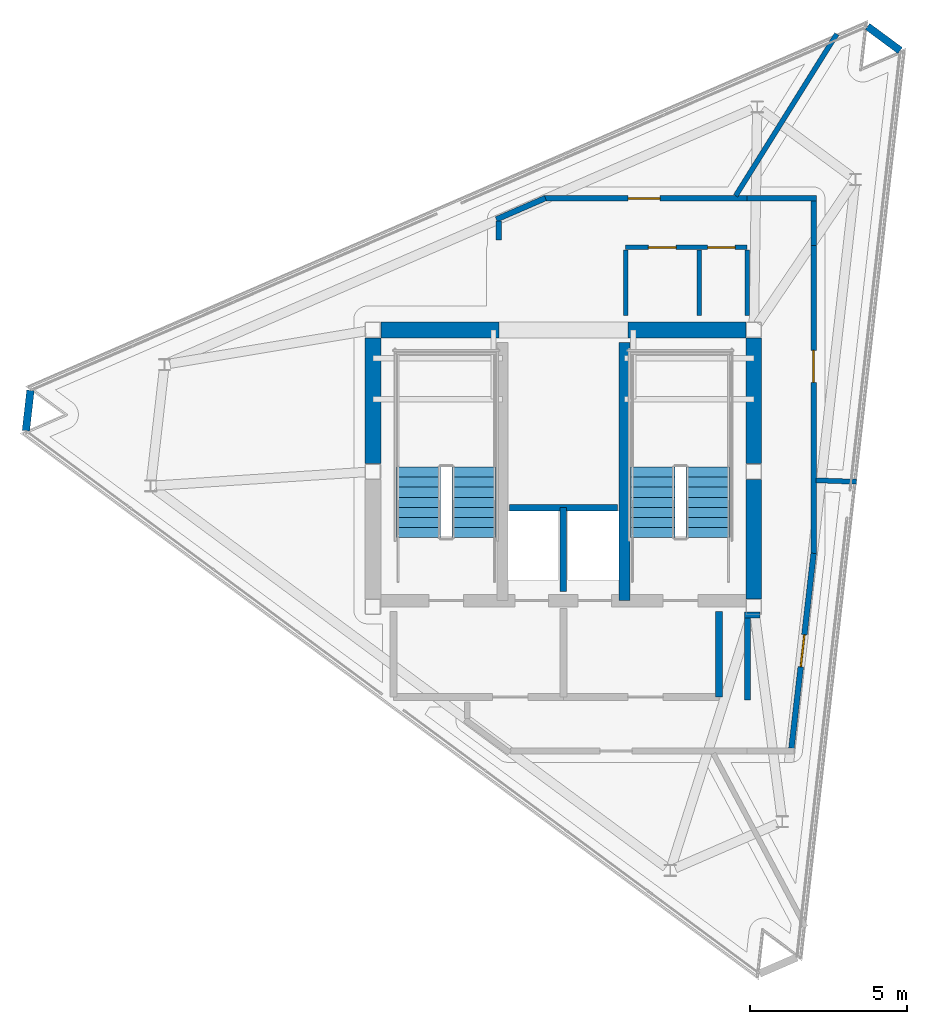
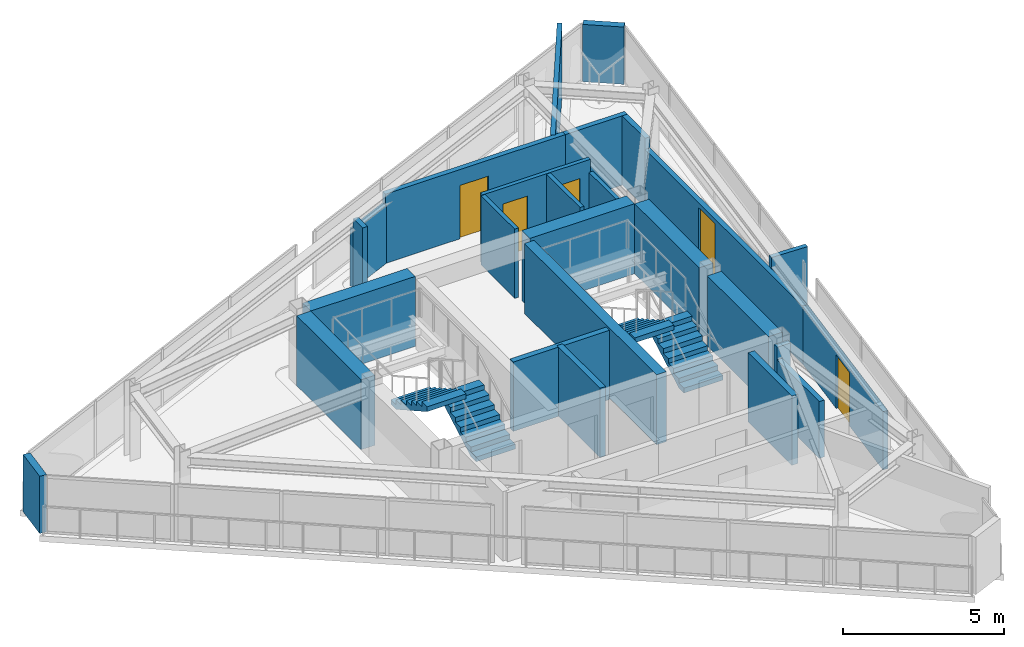
# One storey, part 7 of 10: 26 walls, 5 doors, 4 stair flights, 5 openings, 2 elements without a shape of their own.
"""IFC4 building model written with IfcOpenShell, lengths in metres."""

from ifc_helpers import new_model, si_unit, direction, frame, frame_2d, origin, place, context, subcontext, project, spatial, polyline, rectangle, outline, extrude, material, layer, layer_set, type_object, element, fill, aggregate, save


model = new_model("IFC4")

# Units and contexts
model_context = context("Model", 3, precision=1e-05, world=origin(), true_north=direction((0.0, 1.0)))
body_context = subcontext(model_context, "Body", "Model", "MODEL_VIEW")
ifc_project = project(units=[si_unit("LENGTHUNIT", "METRE"), si_unit("AREAUNIT", "SQUARE_METRE"), si_unit("VOLUMEUNIT", "CUBIC_METRE"), si_unit("PLANEANGLEUNIT", "RADIAN"), si_unit("MASSUNIT", "GRAM", prefix="KILO")], contexts=[model_context])

# Site, building, storey
site_placement = place(None, origin())
site = spatial("IfcSite", under=ifc_project, at=site_placement, CompositionType="ELEMENT")
building_placement = place(site_placement, origin())
building = spatial("IfcBuilding", under=site, at=building_placement, Name="Rocaltana Carrier Exchange", CompositionType="ELEMENT")
storey_placement = place(building_placement, frame((0.0, 0.0, 252.0)))
storey = spatial("IfcBuildingStorey", under=building, at=storey_placement, Name="L80", CompositionType="ELEMENT", Elevation=252.0)

# Walls
ifc_material_1 = material(Name="Double Acoustic Gypsum Partition", Category="gypsum")
ifc_layer_1 = layer(ifc_material_1, 0.159912109375)
ifc_layer_set_1 = layer_set([ifc_layer_1], Name="Double Acoustic Gypsum Partition")
wall_type_1 = type_object("IfcWallType", Name="Acoustic Studio Partition 160 EI60", PredefinedType="PARTITIONING", material=ifc_layer_set_1)
wall_1_placement = place(storey_placement, frame((8.030029296875, -0.280517578125, 0.0), z_axis=(0.0, 0.0, 1.0), x_axis=(0.999389795714, -0.034929016924, 0.0)))
element("IfcWall", 1, at=wall_1_placement, inside=storey, type_object=wall_type_1, Name="L80 Suite Divider Wall D2", PredefinedType="PARTITIONING", context=body_context, shape_type="SweptSolid", body=[
    extrude(rectangle(XDim=1.279052734375, YDim=0.159912109375, at=frame_2d((0.6396484375, 0.0))), origin(), (0.0, 0.0, 1.0), 2.623046875),
])
wall_2_placement = place(storey_placement, frame((5.473876953125, 8.760009765625, 0.0), z_axis=(0.0, 0.0, 1.0), x_axis=(0.529930175969, 0.84804127765, 0.0)))
element("IfcWall", 2, at=wall_2_placement, inside=storey, type_object=wall_type_1, Name="L80 Suite Divider Wall D3", PredefinedType="PARTITIONING", context=body_context, shape_type="SweptSolid", body=[
    extrude(rectangle(XDim=6.063720703125, YDim=0.159912109375, at=frame_2d((3.03173828125, 0.0))), origin(), (0.0, 0.0, 1.0), 2.623046875),
])
ifc_material_2 = material(Name="Concrete C50/60", Category="concrete")
ifc_layer_2 = layer(ifc_material_2, 0.35009765625)
ifc_layer_set_2 = layer_set([ifc_layer_2], Name="Concrete C50/60")
wall_type_2 = type_object("IfcWallType", Name="Core Internal Shear Wall 350", PredefinedType="SHEAR", material=ifc_layer_set_2)
wall_3_placement = place(storey_placement, frame((1.93994140625, -4.10009765625, 0.0), z_axis=(0.0, 0.0, 1.0), x_axis=(0.0, 1.0, 0.0)))
element("IfcWall", 3, at=wall_3_placement, inside=storey, type_object=wall_type_2, Name="L80 Core Shear Wall CW-STE", PredefinedType="SHEAR", context=body_context, shape_type="SweptSolid", body=[
    extrude(rectangle(XDim=8.2001953125, YDim=0.35009765625, at=frame_2d((4.10009765625, 0.0))), origin(), (0.0, 0.0, 1.0), 2.64794921875),
])
ifc_material_3 = material(Name="Concrete C50/60", Category="concrete")
ifc_layer_3 = layer(ifc_material_3, 0.5)
ifc_layer_set_3 = layer_set([ifc_layer_3], Name="Concrete C50/60")
wall_type_3 = type_object("IfcWallType", Name="Core Shear Wall 500", PredefinedType="SHEAR", material=ifc_layer_set_3)
for number, where, z_axis, x_axis, name in (
    (4, (-6.050048828125, 0.25, 0.0), (0.0, 0.0, 1.0), (0.0, 1.0, 0.0), "L80 Core Shear Wall CW-WN"),
    (5, (6.050048828125, 0.25, 0.0), (0.0, 0.0, 1.0), (0.0, 1.0, 0.0), "L80 Core Shear Wall CW-EN"),
):
    element("IfcWall", number, at=place(storey_placement, frame(where, z_axis=z_axis, x_axis=x_axis)), inside=storey, type_object=wall_type_3, Name=name, PredefinedType="SHEAR", context=body_context, shape_type="SweptSolid", body=[
        extrude(rectangle(XDim=4.0, YDim=0.5, at=frame_2d((2.0, 0.0))), origin(), (0.0, 0.0, 1.0), 2.64794921875),
    ])
wall_4_placement = place(storey_placement, frame((6.050048828125, -4.050048828125, 0.0), z_axis=(0.0, 0.0, 1.0), x_axis=(0.0, 1.0, 0.0)))
element("IfcWall", 6, at=wall_4_placement, inside=storey, type_object=wall_type_3, Name="L80 Core Shear Wall CW-ES", PredefinedType="SHEAR", context=body_context, shape_type="SweptSolid", body=[
    extrude(rectangle(XDim=3.800048828125, YDim=0.5, at=frame_2d((1.89990234375, 0.0))), origin(), (0.0, 0.0, 1.0), 2.64794921875),
])
for number, where, z_axis, x_axis, name in (
    (7, (-5.800048828125, 4.5, 0.0), (0.0, 0.0, 1.0), (1.0, 0.0, 0.0), "L80 Core Shear Wall CW-N1"),
    (8, (2.050048828125, 4.5, 0.0), (0.0, 0.0, 1.0), (1.0, 0.0, 0.0), "L80 Core Shear Wall CW-N2"),
):
    element("IfcWall", number, at=place(storey_placement, frame(where, z_axis=z_axis, x_axis=x_axis)), inside=storey, type_object=wall_type_3, Name=name, PredefinedType="SHEAR", context=body_context, shape_type="SweptSolid", body=[
        extrude(rectangle(XDim=3.75, YDim=0.5, at=frame_2d((1.875, 0.0))), origin(), (0.0, 0.0, 1.0), 2.64794921875),
    ])
ifc_material_4 = material(Name="Gypsum & Steel Stud Partition", Category="steel")
ifc_layer_4 = layer(ifc_material_4, 0.179931640625)
ifc_layer_set_4 = layer_set([ifc_layer_4], Name="Gypsum & Steel Stud Partition")
wall_type_4 = type_object("IfcWallType", Name="Corridor Fire Partition 180 EI60", PredefinedType="PARTITIONING", material=ifc_layer_set_4)
wall_5_placement = place(storey_placement, frame((5.85009765625, -7.260009765625, 0.0), z_axis=(0.0, 0.0, 1.0), x_axis=(0.0, 1.0, 0.0)))
element("IfcWall", 9, at=wall_5_placement, inside=storey, type_object=wall_type_4, Name="L80 Corridor Partition 3", PredefinedType="PARTITIONING", context=body_context, shape_type="SweptSolid", body=[
    extrude(rectangle(XDim=2.610107421875, YDim=0.179931640625, at=frame_2d((1.30517578125, 0.0))), origin(), (0.0, 0.0, 1.0), 2.153076171875),
])
wall_6_placement = place(storey_placement, frame((5.760009765625, -4.56005859375, 0.0), z_axis=(0.0, 0.0, 1.0), x_axis=(1.0, 0.0, 0.0)))
element("IfcWall", 10, at=wall_6_placement, inside=storey, type_object=wall_type_4, Name="L80 Corridor Partition 4", PredefinedType="PARTITIONING", context=body_context, shape_type="SweptSolid", body=[
    extrude(rectangle(XDim=0.47998046875, YDim=0.179931640625, at=frame_2d((0.239990234375, 0.0))), origin(), (0.0, 0.0, 1.0), 2.623046875),
])
wall_7_placement = place(storey_placement, frame((-2.050048828125, 7.360107421875, 0.0), z_axis=(0.0, 0.0, 1.0), x_axis=(0.0, 1.0, 0.0)))
element("IfcWall", 11, at=wall_7_placement, inside=storey, type_object=wall_type_4, Name="L80 Corridor Partition 6", PredefinedType="PARTITIONING", context=body_context, shape_type="SweptSolid", body=[
    extrude(rectangle(XDim=0.594970703125, YDim=0.179931640625, at=frame_2d((0.29736328125, 0.0))), origin(), (0.0, 0.0, 1.0), 2.623046875),
])
wall_8_placement = place(storey_placement, frame((-2.132568359375, 8.00927734375, 0.0), z_axis=(0.0, 0.0, 1.0), x_axis=(0.917070056253, 0.398726111414, 0.0)))
element("IfcWall", 12, at=wall_8_placement, inside=storey, type_object=wall_type_4, Name="L80 Corridor Partition 7", PredefinedType="PARTITIONING", context=body_context, shape_type="SweptSolid", body=[
    extrude(rectangle(XDim=1.7021484375, YDim=0.179931640625, at=frame_2d((0.85107421875, 0.0))), origin(), (0.0, 0.0, 1.0), 2.202880859375),
])

# Wall, opening, door
wall_9_placement = place(storey_placement, frame((-0.60986328125, 8.679931640625, 0.0), z_axis=(0.0, 0.0, 1.0), x_axis=(1.0, 0.0, 0.0)))
wall_9 = element("IfcWall", 13, at=wall_9_placement, inside=storey, type_object=wall_type_4, Name="L80 Corridor Partition 8", PredefinedType="PARTITIONING", context=body_context, shape_type="SweptSolid", body=[
    extrude(rectangle(XDim=6.47998046875, YDim=0.179931640625, at=frame_2d((3.239990234375, 0.0))), origin(), (0.0, 0.0, 1.0), 2.623046875),
])
opening_1_placement = place(wall_9_placement, frame((2.666015625, 0.0, 0.0)))
opening_1 = element("IfcOpeningElement", 14, at=opening_1_placement, cuts=wall_9, Name="Opening D-LB104", PredefinedType="OPENING", context=body_context, shape_type="SweptSolid", body=[
    extrude(rectangle(XDim=1.02001953125, YDim=2.02001953125, at=frame_2d((0.510009765625, 1.010009765625))), frame((0.0, 0.099853515625, 0.0), z_axis=(0.0, -1.0, 0.0), x_axis=(1.0, 0.0, 0.0)), (0.0, 0.0, 1.0), 0.199951171875),
])
ifc_material_5 = material(Name="Powder-Coated Aluminium 6063-T6", Category="aluminium")
door_type_1 = type_object("IfcDoorType", Name="Laboratory Acoustic Door 1020x2020", OperationType="NOTDEFINED", PredefinedType="DOOR", material=ifc_material_5)
door_1_placement = place(opening_1_placement, origin())
door_1 = element("IfcDoor", 15, at=door_1_placement, inside=storey, type_object=door_type_1, Name="L80 Signal Calibration Laboratory Entrance Door", OperationType="SINGLE_SWING_RIGHT", OverallHeight=2.02001953125, OverallWidth=1.02001953125, PredefinedType="DOOR", context=body_context, shape_type="SweptSolid", body=[
    extrude(rectangle(XDim=1.02001953125, YDim=2.02001953125, at=frame_2d((0.510009765625, 1.010009765625))), frame((0.0, 0.02490234375, 0.0), z_axis=(0.0, -1.0, 0.0), x_axis=(1.0, 0.0, 0.0)), (0.0, 0.0, 1.0), 0.050048828125),
])
fill(opening_1, door_1)

# Walls
wall_10_placement = place(storey_placement, frame((5.830078125, 8.679931640625, 0.0), z_axis=(0.0, 0.0, 1.0), x_axis=(1.0, 0.0, 0.0)))
element("IfcWall", 16, at=wall_10_placement, inside=storey, type_object=wall_type_4, Name="L80 Corridor Partition 9", PredefinedType="PARTITIONING", context=body_context, shape_type="SweptSolid", body=[
    extrude(rectangle(XDim=2.2099609375, YDim=0.179931640625, at=frame_2d((1.10498046875, 0.0))), origin(), (0.0, 0.0, 1.0), 2.623046875),
])
wall_11_placement = place(storey_placement, frame((7.949951171875, 8.590087890625, 0.0), z_axis=(0.0, 0.0, 1.0), x_axis=(0.0, -1.0, 0.0)))
element("IfcWall", 17, at=wall_11_placement, inside=storey, type_object=wall_type_4, Name="L80 Corridor Partition 10", PredefinedType="PARTITIONING", context=body_context, shape_type="SweptSolid", body=[
    extrude(rectangle(XDim=1.41015625, YDim=0.179931640625, at=frame_2d((0.705078125, 0.0))), origin(), (0.0, 0.0, 1.0), 2.623046875),
])

# Wall, opening, door
wall_12_placement = place(storey_placement, frame((7.949951171875, 7.219970703125, 0.0), z_axis=(0.0, 0.0, 1.0), x_axis=(0.0, -1.0, 0.0)))
wall_12 = element("IfcWall", 18, at=wall_12_placement, inside=storey, type_object=wall_type_4, Name="L80 Corridor Partition 11", PredefinedType="PARTITIONING", context=body_context, shape_type="SweptSolid", body=[
    extrude(rectangle(XDim=9.858642578125, YDim=0.179931640625, at=frame_2d((4.92919921875, 0.0))), origin(), (0.0, 0.0, 1.0), 2.202880859375),
])
opening_2_placement = place(wall_12_placement, frame((3.37060546875, 0.0, 0.0)))
opening_2 = element("IfcOpeningElement", 19, at=opening_2_placement, cuts=wall_12, Name="Opening D-LB104", PredefinedType="OPENING", context=body_context, shape_type="SweptSolid", body=[
    extrude(rectangle(XDim=1.02001953125, YDim=2.02001953125, at=frame_2d((0.510009765625, 1.010009765625))), frame((0.0, 0.099853515625, 0.0), z_axis=(0.0, -1.0, 0.0), x_axis=(1.0, 0.0, 0.0)), (0.0, 0.0, 1.0), 0.199951171875),
])
door_2_placement = place(opening_2_placement, origin())
door_2 = element("IfcDoor", 20, at=door_2_placement, inside=storey, type_object=door_type_1, Name="L80 Photonic Integration Workshop Entrance Door", OperationType="SINGLE_SWING_LEFT", OverallHeight=2.02001953125, OverallWidth=1.02001953125, PredefinedType="DOOR", context=body_context, shape_type="SweptSolid", body=[
    extrude(rectangle(XDim=1.02001953125, YDim=2.02001953125, at=frame_2d((0.510009765625, 1.010009765625))), frame((0.0, 0.02490234375, 0.0), z_axis=(0.0, -1.0, 0.0), x_axis=(1.0, 0.0, 0.0)), (0.0, 0.0, 1.0), 0.050048828125),
])
fill(opening_2, door_2)

wall_13_placement = place(storey_placement, frame((7.952392578125, -2.598876953125, 0.0), z_axis=(0.0, 0.0, 1.0), x_axis=(-0.113221740547, -0.993569744642, 0.0)))
wall_13 = element("IfcWall", 21, at=wall_13_placement, inside=storey, type_object=wall_type_4, Name="L80 Corridor Partition 12", PredefinedType="PARTITIONING", context=body_context, shape_type="SweptSolid", body=[
    extrude(rectangle(XDim=6.231689453125, YDim=0.179931640625, at=frame_2d((3.11572265625, 0.0))), origin(), (0.0, 0.0, 1.0), 2.202880859375),
])
opening_3_placement = place(wall_13_placement, frame((2.60595703125, 0.0, 0.0)))
opening_3 = element("IfcOpeningElement", 22, at=opening_3_placement, cuts=wall_13, Name="Opening D-LB104", PredefinedType="OPENING", context=body_context, shape_type="SweptSolid", body=[
    extrude(rectangle(XDim=1.02001953125, YDim=2.02001953125, at=frame_2d((0.510009765625, 1.010009765625))), frame((0.0, 0.099853515625, 0.0), z_axis=(0.0, -1.0, 0.0), x_axis=(1.0, 0.0, 0.0)), (0.0, 0.0, 1.0), 0.199951171875),
])
door_3_placement = place(opening_3_placement, origin())
door_3 = element("IfcDoor", 23, at=door_3_placement, inside=storey, type_object=door_type_1, Name="L80 Protocol Calibration Laboratory Entrance Door", OperationType="SINGLE_SWING_RIGHT", OverallHeight=2.02001953125, OverallWidth=1.02001953125, PredefinedType="DOOR", context=body_context, shape_type="SweptSolid", body=[
    extrude(rectangle(XDim=1.02001953125, YDim=2.02001953125, at=frame_2d((0.510009765625, 1.010009765625))), frame((0.0, 0.02490234375, 0.0), z_axis=(0.0, -1.0, 0.0), x_axis=(1.0, 0.0, 0.0)), (0.0, 0.0, 1.0), 0.050048828125),
])
fill(opening_3, door_3)

# Walls
ifc_material_6 = material(Name="Autoclaved Aerated Concrete C30/37", Category="concrete")
ifc_layer_5 = layer(ifc_material_6, 0.219970703125)
ifc_layer_set_5 = layer_set([ifc_layer_5], Name="Autoclaved Aerated Concrete C30/37")
wall_type_5 = type_object("IfcWallType", Name="Firefighting Lobby Wall 220 EI120", PredefinedType="PARTITIONING", material=ifc_layer_set_5)
wall_14_placement = place(storey_placement, frame((4.949951171875, -7.159912109375, 0.0), z_axis=(0.0, 0.0, 1.0), x_axis=(0.0, 1.0, 0.0)))
element("IfcWall", 24, at=wall_14_placement, inside=storey, type_object=wall_type_5, Name="L80 FFL Lobby 2 East Wall", PredefinedType="PARTITIONING", context=body_context, shape_type="SweptSolid", body=[
    extrude(rectangle(XDim=2.7099609375, YDim=0.219970703125, at=frame_2d((1.35498046875, 0.0))), origin(), (0.0, 0.0, 1.0), 2.623046875),
])
ifc_material_7 = material(Name="Reinforced Concrete Block C35/45", Category="concrete")
ifc_layer_6 = layer(ifc_material_7, 0.199951171875)
ifc_layer_set_6 = layer_set([ifc_layer_6], Name="Reinforced Concrete Block C35/45")
wall_type_6 = type_object("IfcWallType", Name="Lift Hoistway Enclosure Wall 200 EI120", PredefinedType="PARTITIONING", material=ifc_layer_set_6)
wall_15_placement = place(storey_placement, frame((0.0, -3.820068359375, 0.0), z_axis=(0.0, 0.0, 1.0), x_axis=(0.0, 1.0, 0.0)))
element("IfcWall", 25, at=wall_15_placement, inside=storey, type_object=wall_type_6, Name="L80 FFL Shaft Divider", PredefinedType="PARTITIONING", context=body_context, shape_type="SweptSolid", body=[
    extrude(rectangle(XDim=2.670166015625, YDim=0.199951171875, at=frame_2d((1.3349609375, 0.0))), origin(), (0.0, 0.0, 1.0), 2.623046875),
])
wall_16_placement = place(storey_placement, frame((-1.719970703125, -1.14990234375, 0.0), z_axis=(0.0, 0.0, 1.0), x_axis=(1.0, 0.0, 0.0)))
element("IfcWall", 26, at=wall_16_placement, inside=storey, type_object=wall_type_6, Name="L80 FFL Shaft Back Wall", PredefinedType="PARTITIONING", context=body_context, shape_type="SweptSolid", body=[
    extrude(rectangle(XDim=3.43994140625, YDim=0.199951171875, at=frame_2d((1.719970703125, 0.0))), origin(), (0.0, 0.0, 1.0), 2.623046875),
])
ifc_material_8 = material(Name="Precast sandstone concrete C40/50", Category="masonry")
ifc_layer_7 = layer(ifc_material_8, 0.239990234375)
ifc_layer_set_7 = layer_set([ifc_layer_7], Name="Precast sandstone concrete C40/50")
wall_type_7 = type_object("IfcWallType", Name="Terrace Stone Parapet Wall 240", PredefinedType="PARAPET", material=ifc_layer_set_7)
wall_17_placement = place(storey_placement, frame((10.6982421875, 13.375, 0.0), z_axis=(0.0, 0.0, 1.0), x_axis=(-0.803939758325, 0.5947107406, 0.0)))
element("IfcWall", 27, at=wall_17_placement, inside=storey, type_object=wall_type_7, Name="L80 Crown Corner Mullion Wall C1", PredefinedType="PARAPET", context=body_context, shape_type="SweptSolid", body=[
    extrude(rectangle(XDim=1.288330078125, YDim=0.239990234375, at=frame_2d((0.64404296875, 0.0))), origin(), (0.0, 0.0, 1.0), 2.16796875),
])
wall_18_placement = place(storey_placement, frame((-16.93212890625, 2.577392578125, 0.0), z_axis=(0.0, 0.0, 1.0), x_axis=(-0.113156349647, -0.993577194049, 0.0)))
element("IfcWall", 28, at=wall_18_placement, inside=storey, type_object=wall_type_7, Name="L80 Crown Corner Mullion Wall C2", PredefinedType="PARAPET", context=body_context, shape_type="SweptSolid", body=[
    extrude(rectangle(XDim=1.2880859375, YDim=0.239990234375, at=frame_2d((0.64404296875, 0.0))), origin(), (0.0, 0.0, 1.0), 2.16796875),
])
ifc_material_9 = material(Name="Moisture-Resistant Masonry C30/37", Category="masonry")
ifc_layer_8 = layer(ifc_material_9, 0.139892578125)
ifc_layer_set_8 = layer_set([ifc_layer_8], Name="Moisture-Resistant Masonry C30/37")
wall_type_8 = type_object("IfcWallType", Name="Wet-Area Sanitary Partition 140", PredefinedType="PARTITIONING", material=ifc_layer_set_8)
wall_19_placement = place(storey_placement, frame((1.97998046875, 4.949951171875, 0.0), z_axis=(0.0, 0.0, 1.0), x_axis=(0.0, 1.0, 0.0)))
element("IfcWall", 29, at=wall_19_placement, inside=storey, type_object=wall_type_8, Name="L80 Sanitary West Wall", PredefinedType="PARTITIONING", context=body_context, shape_type="SweptSolid", body=[
    extrude(rectangle(XDim=2.090087890625, YDim=0.139892578125, at=frame_2d((1.044921875, 0.0))), origin(), (0.0, 0.0, 1.0), 2.623046875),
])
wall_20_placement = place(storey_placement, frame((5.840087890625, 4.949951171875, 0.0), z_axis=(0.0, 0.0, 1.0), x_axis=(0.0, 1.0, 0.0)))
element("IfcWall", 30, at=wall_20_placement, inside=storey, type_object=wall_type_8, Name="L80 Sanitary East Wall", PredefinedType="PARTITIONING", context=body_context, shape_type="SweptSolid", body=[
    extrude(rectangle(XDim=2.090087890625, YDim=0.139892578125, at=frame_2d((1.044921875, 0.0))), origin(), (0.0, 0.0, 1.0), 2.153076171875),
])

# Wall, openings, doors
wall_21_placement = place(storey_placement, frame((1.97998046875, 7.1201171875, 0.0), z_axis=(0.0, 0.0, 1.0), x_axis=(1.0, 0.0, 0.0)))
wall_21 = element("IfcWall", 31, at=wall_21_placement, inside=storey, type_object=wall_type_8, Name="L80 Sanitary North Wall", PredefinedType="PARTITIONING", context=body_context, shape_type="SweptSolid", body=[
    extrude(rectangle(XDim=3.860107421875, YDim=0.139892578125, at=frame_2d((1.93017578125, 0.0))), origin(), (0.0, 0.0, 1.0), 2.623046875),
])
opening_4_placement = place(wall_21_placement, frame((0.719970703125, 0.0, 0.0)))
opening_4 = element("IfcOpeningElement", 32, at=opening_4_placement, cuts=wall_21, Name="Opening D-WC090", PredefinedType="OPENING", context=body_context, shape_type="SweptSolid", body=[
    extrude(rectangle(XDim=0.8798828125, YDim=2.02001953125, at=frame_2d((0.43994140625, 1.010009765625))), frame((0.0, 0.079833984375, 0.0), z_axis=(0.0, -1.0, 0.0), x_axis=(1.0, 0.0, 0.0)), (0.0, 0.0, 1.0), 0.159912109375),
])
opening_5_placement = place(wall_21_placement, frame((2.60009765625, 0.0, 0.0)))
opening_5 = element("IfcOpeningElement", 33, at=opening_5_placement, cuts=wall_21, Name="Opening D-WC090", PredefinedType="OPENING", context=body_context, shape_type="SweptSolid", body=[
    extrude(rectangle(XDim=0.8798828125, YDim=2.02001953125, at=frame_2d((0.43994140625, 1.010009765625))), frame((0.0, 0.079833984375, 0.0), z_axis=(0.0, -1.0, 0.0), x_axis=(1.0, 0.0, 0.0)), (0.0, 0.0, 1.0), 0.159912109375),
])
ifc_material_10 = material(Name="High-Pressure Laminate Timber", Category="wood")
door_type_2 = type_object("IfcDoorType", Name="Restroom & Accessible WC Door 880x2020", OperationType="NOTDEFINED", PredefinedType="DOOR", material=ifc_material_10)
door_4_placement = place(opening_4_placement, origin())
door_4 = element("IfcDoor", 34, at=door_4_placement, inside=storey, type_object=door_type_2, Name="L80 Accessible Toilet Door", OperationType="SINGLE_SWING_LEFT", OverallHeight=2.02001953125, OverallWidth=0.8798828125, PredefinedType="DOOR", context=body_context, shape_type="SweptSolid", body=[
    extrude(rectangle(XDim=0.8798828125, YDim=2.02001953125, at=frame_2d((0.43994140625, 1.010009765625))), frame((0.0, 0.02490234375, 0.0), z_axis=(0.0, -1.0, 0.0), x_axis=(1.0, 0.0, 0.0)), (0.0, 0.0, 1.0), 0.050048828125),
])
fill(opening_4, door_4)
door_5_placement = place(opening_5_placement, origin())
door_5 = element("IfcDoor", 35, at=door_5_placement, inside=storey, type_object=door_type_2, Name="L80 Staff Restroom Door", OperationType="SINGLE_SWING_RIGHT", OverallHeight=2.02001953125, OverallWidth=0.8798828125, PredefinedType="DOOR", context=body_context, shape_type="SweptSolid", body=[
    extrude(rectangle(XDim=0.8798828125, YDim=2.02001953125, at=frame_2d((0.43994140625, 1.010009765625))), frame((0.0, 0.02490234375, 0.0), z_axis=(0.0, -1.0, 0.0), x_axis=(1.0, 0.0, 0.0)), (0.0, 0.0, 1.0), 0.050048828125),
])
fill(opening_5, door_5)

# Wall
wall_22_placement = place(storey_placement, frame((4.320068359375, 4.949951171875, 0.0), z_axis=(0.0, 0.0, 1.0), x_axis=(0.0, 1.0, 0.0)))
element("IfcWall", 36, at=wall_22_placement, inside=storey, type_object=wall_type_8, Name="L80 Sanitary Divider", PredefinedType="PARTITIONING", context=body_context, shape_type="SweptSolid", body=[
    extrude(rectangle(XDim=2.090087890625, YDim=0.139892578125, at=frame_2d((1.044921875, 0.0))), origin(), (0.0, 0.0, 1.0), 2.623046875),
])

# Stair, stair flights
ifc_material_11 = material(Name="Precast concrete C45/55", Category="concrete")
stair_type = type_object("IfcStairType", Name="Standard Dog-Leg Stair 160", PredefinedType="HALF_TURN_STAIR", material=ifc_material_11)
stair_1_placement = place(storey_placement, origin())
stair_1 = element("IfcStair", 37, at=stair_1_placement, inside=storey, type_object=stair_type, Name="L80 Core West Exit Stair ST-1", PredefinedType="HALF_TURN_STAIR")
ifc_material_12 = material(Name="Precast concrete C45/55", Category="concrete")
stair_flight_type = type_object("IfcStairFlightType", Name="Precast Stair Flight 160", PredefinedType="STRAIGHT", material=ifc_material_12)
stair_flight_1_placement = place(storey_placement, frame((-2.840087890625, -2.10009765625, 0.0), z_axis=(0.0, 0.0, 1.0), x_axis=(0.0, 1.0, 0.0)))
stair_flight_1 = element("IfcStairFlight", 38, at=stair_flight_1_placement, type_object=stair_flight_type, Name="ST-1 flight 1", NumberOfRisers=8, NumberOfTreads=7, PredefinedType="STRAIGHT", RiserHeight=0.18, TreadLength=0.32, context=body_context, shape_type="SweptSolid", body=[
    extrude(outline(polyline([(0.0, 0.0), (0.0, 0.179931640625), (0.320068359375, 0.179931640625), (0.320068359375, 0.360107421875), (0.639892578125, 0.360107421875), (0.639892578125, 0.5400390625), (0.9599609375, 0.5400390625), (0.9599609375, 0.719970703125), (1.280029296875, 0.719970703125), (1.280029296875, 0.89990234375), (1.60009765625, 0.89990234375), (1.60009765625, 1.080078125), (1.919921875, 1.080078125), (1.919921875, 1.260009765625), (2.239990234375, 1.260009765625), (2.239990234375, 1.43994140625), (2.239990234375, 1.076416015625), (0.326171875, 0.0), (0.0, 0.0)])), frame((0.0, 0.699951171875, 0.0), z_axis=(0.0, -1.0, 0.0), x_axis=(1.0, 0.0, 0.0)), (0.0, 0.0, 1.0), 1.39990234375),
])
stair_flight_2_placement = place(storey_placement, frame((-4.60009765625, 0.139892578125, 1.43994140625), z_axis=(0.0, 0.0, 1.0), x_axis=(0.0, -1.0, 0.0)))
stair_flight_2 = element("IfcStairFlight", 39, at=stair_flight_2_placement, type_object=stair_flight_type, Name="ST-1 flight 2", NumberOfRisers=8, NumberOfTreads=7, PredefinedType="STRAIGHT", RiserHeight=0.18, TreadLength=0.32, context=body_context, shape_type="SweptSolid", body=[
    extrude(outline(polyline([(0.0, 0.0), (0.0, 0.179931640625), (0.320068359375, 0.179931640625), (0.320068359375, 0.360107421875), (0.639892578125, 0.360107421875), (0.639892578125, 0.5400390625), (0.9599609375, 0.5400390625), (0.9599609375, 0.719970703125), (1.280029296875, 0.719970703125), (1.280029296875, 0.89990234375), (1.60009765625, 0.89990234375), (1.60009765625, 1.080078125), (1.919921875, 1.080078125), (1.919921875, 1.260009765625), (2.239990234375, 1.260009765625), (2.239990234375, 1.43994140625), (2.239990234375, 1.076416015625), (0.326171875, 0.0), (0.0, 0.0)])), frame((0.0, 0.699951171875, 0.0), z_axis=(0.0, -1.0, 0.0), x_axis=(1.0, 0.0, 0.0)), (0.0, 0.0, 1.0), 1.39990234375),
])
aggregate(stair_1, [stair_flight_1, stair_flight_2])

stair_2_placement = place(storey_placement, origin())
stair_2 = element("IfcStair", 40, at=stair_2_placement, inside=storey, type_object=stair_type, Name="L80 Core East Exit Stair ST-2", PredefinedType="HALF_TURN_STAIR")
stair_flight_3_placement = place(storey_placement, frame((4.60009765625, -2.10009765625, 0.0), z_axis=(0.0, 0.0, 1.0), x_axis=(0.0, 1.0, 0.0)))
stair_flight_3 = element("IfcStairFlight", 41, at=stair_flight_3_placement, type_object=stair_flight_type, Name="ST-2 flight 1", NumberOfRisers=8, NumberOfTreads=7, PredefinedType="STRAIGHT", RiserHeight=0.18, TreadLength=0.32, context=body_context, shape_type="SweptSolid", body=[
    extrude(outline(polyline([(0.0, 0.0), (0.0, 0.179931640625), (0.320068359375, 0.179931640625), (0.320068359375, 0.360107421875), (0.639892578125, 0.360107421875), (0.639892578125, 0.5400390625), (0.9599609375, 0.5400390625), (0.9599609375, 0.719970703125), (1.280029296875, 0.719970703125), (1.280029296875, 0.89990234375), (1.60009765625, 0.89990234375), (1.60009765625, 1.080078125), (1.919921875, 1.080078125), (1.919921875, 1.260009765625), (2.239990234375, 1.260009765625), (2.239990234375, 1.43994140625), (2.239990234375, 1.076416015625), (0.326171875, 0.0), (0.0, 0.0)])), frame((0.0, 0.699951171875, 0.0), z_axis=(0.0, -1.0, 0.0), x_axis=(1.0, 0.0, 0.0)), (0.0, 0.0, 1.0), 1.39990234375),
])
stair_flight_4_placement = place(storey_placement, frame((2.840087890625, 0.139892578125, 1.43994140625), z_axis=(0.0, 0.0, 1.0), x_axis=(0.0, -1.0, 0.0)))
stair_flight_4 = element("IfcStairFlight", 42, at=stair_flight_4_placement, type_object=stair_flight_type, Name="ST-2 flight 2", NumberOfRisers=8, NumberOfTreads=7, PredefinedType="STRAIGHT", RiserHeight=0.18, TreadLength=0.32, context=body_context, shape_type="SweptSolid", body=[
    extrude(outline(polyline([(0.0, 0.0), (0.0, 0.179931640625), (0.320068359375, 0.179931640625), (0.320068359375, 0.360107421875), (0.639892578125, 0.360107421875), (0.639892578125, 0.5400390625), (0.9599609375, 0.5400390625), (0.9599609375, 0.719970703125), (1.280029296875, 0.719970703125), (1.280029296875, 0.89990234375), (1.60009765625, 0.89990234375), (1.60009765625, 1.080078125), (1.919921875, 1.080078125), (1.919921875, 1.260009765625), (2.239990234375, 1.260009765625), (2.239990234375, 1.43994140625), (2.239990234375, 1.076416015625), (0.326171875, 0.0), (0.0, 0.0)])), frame((0.0, 0.699951171875, 0.0), z_axis=(0.0, -1.0, 0.0), x_axis=(1.0, 0.0, 0.0)), (0.0, 0.0, 1.0), 1.39990234375),
])
aggregate(stair_2, [stair_flight_3, stair_flight_4])

save(model, "model.ifc")
